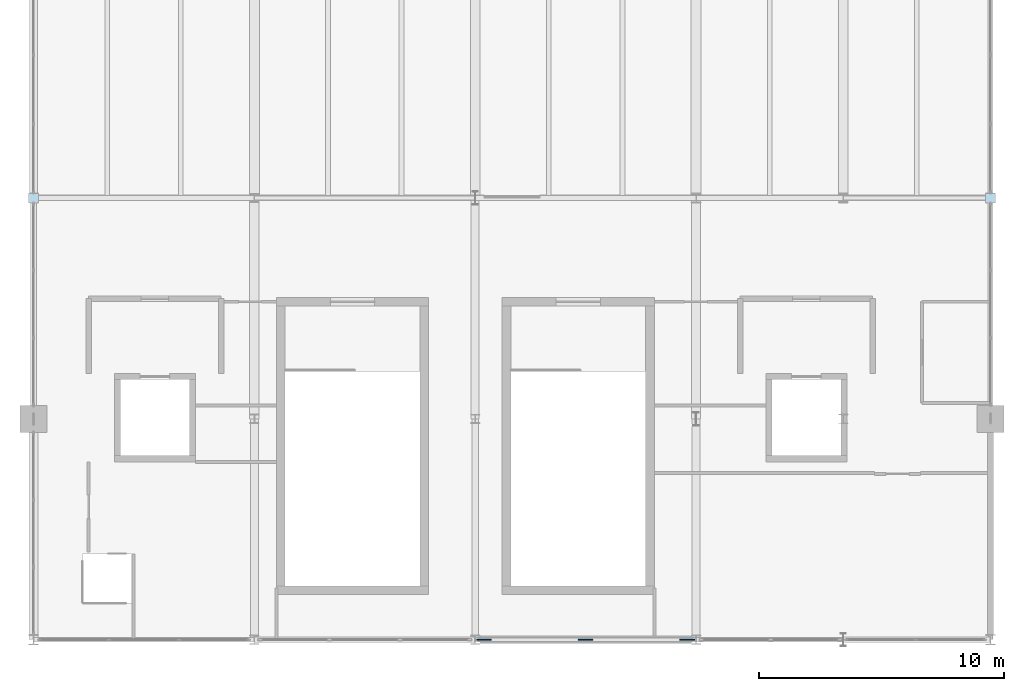
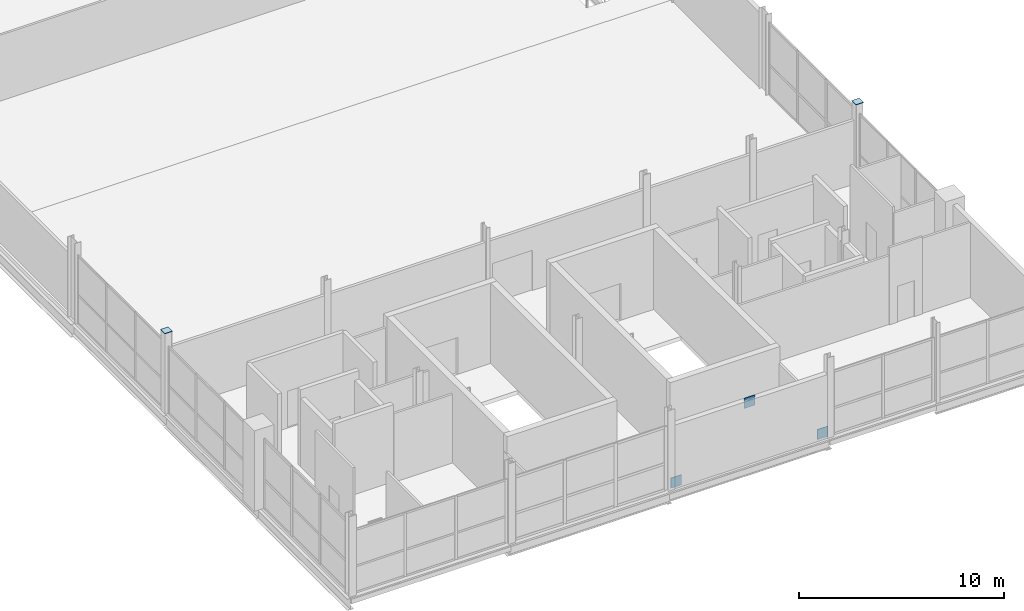
# One storey, part 22 of 29: 5 plates.
"""IFC4 building model written with IfcOpenShell, lengths in metres."""

from ifc_helpers import new_model, si_unit, direction, frame, origin, origin_2d, place, context, subcontext, project, spatial, rectangle, extrude, material, layer, layer_set, type_object, element, save


model = new_model("IFC4")

# Units and contexts
model_context = context("Model", 3, precision=1e-05, world=origin(), true_north=direction((0.0, 1.0)))
body_context = subcontext(model_context, "Body", "Model", "MODEL_VIEW")
ifc_project = project(units=[si_unit("LENGTHUNIT", "METRE"), si_unit("AREAUNIT", "SQUARE_METRE"), si_unit("VOLUMEUNIT", "CUBIC_METRE"), si_unit("PLANEANGLEUNIT", "RADIAN"), si_unit("MASSUNIT", "GRAM", prefix="KILO")], contexts=[model_context])

# Site, building, storey
site_placement = place(None, origin())
site = spatial("IfcSite", under=ifc_project, at=site_placement, CompositionType="ELEMENT")
building_placement = place(site_placement, origin())
building = spatial("IfcBuilding", under=site, at=building_placement, Name="Qamarlyn Nura Convention Centre", CompositionType="ELEMENT")
storey_placement = place(building_placement, frame((0.0, 0.0, 25.199951171875)))
storey = spatial("IfcBuildingStorey", under=building, at=storey_placement, Name="L05", CompositionType="ELEMENT", Elevation=25.199951171875)

# Plates
ifc_material = material(Name="Structural steel ASTM A572 Grade 50", Category="steel")
ifc_layer_1 = layer(ifc_material, 0.02490234375, Name="GP-CAP-25")
ifc_layer_set_1 = layer_set([ifc_layer_1], Name="Structural steel ASTM A572 Grade 50")
plate_type_1 = type_object("IfcPlateType", Name="GP-CAP-25", PredefinedType="USERDEFINED", material=ifc_layer_set_1)
for number, where, z_axis, x_axis, name in (
    (1, (153.0, 18.0, 4.800048828125), (0.0, 0.0, 1.0), (1.0, 0.0, 0.0), "L05 column welded end-cap plate 13/C"),
    (2, (192.0, 18.0, 4.800048828125), (0.0, 0.0, 1.0), (1.0, 0.0, 0.0), "L05 column welded end-cap plate 18/C"),
):
    element("IfcPlate", number, at=place(storey_placement, frame(where, z_axis=z_axis, x_axis=x_axis)), inside=storey, type_object=plate_type_1, Name=name, ObjectType="END CAP PLATE", PredefinedType="USERDEFINED", context=body_context, shape_type="SweptSolid", body=[
        extrude(rectangle(XDim=0.419921875, YDim=0.419921875, at=origin_2d()), origin(), (0.0, 0.0, 1.0), 0.02490234375),
    ])
ifc_layer_2 = layer(ifc_material, 0.044921875, Name="GP-TN1")
ifc_layer_set_2 = layer_set([ifc_layer_2], Name="Structural steel ASTM A572 Grade 50")
plate_type_2 = type_object("IfcPlateType", Name="GP-TN1", PredefinedType="USERDEFINED", material=ifc_layer_set_2)
for number, where, z_axis, x_axis, name in (
    (3, (171.360107421875, 0.0, 0.0), (0.0, 0.0, 1.0), (1.0, 0.0, 0.0), "SCBF chevron brace gusset plate CBF-E1-L05-A"),
    (4, (179.639892578125, 0.0, 0.0), (0.0, 0.0, 1.0), (1.0, 0.0, 0.0), "SCBF chevron brace gusset plate CBF-E1-L05-B"),
    (5, (175.5, 0.0, 3.30908203125), (0.0, 0.0, 1.0), (1.0, 0.0, 0.0), "SCBF chevron brace gusset plate CBF-E1-L05-M"),
):
    element("IfcPlate", number, at=place(storey_placement, frame(where, z_axis=z_axis, x_axis=x_axis)), inside=storey, type_object=plate_type_2, Name=name, ObjectType="GUSSET PLATE", PredefinedType="USERDEFINED", context=body_context, shape_type="SweptSolid", body=[
        extrude(rectangle(XDim=0.60009765625, YDim=0.044921875, at=origin_2d()), origin(), (0.0, 0.0, 1.0), 0.60009765625),
    ])

save(model, "model.ifc")
